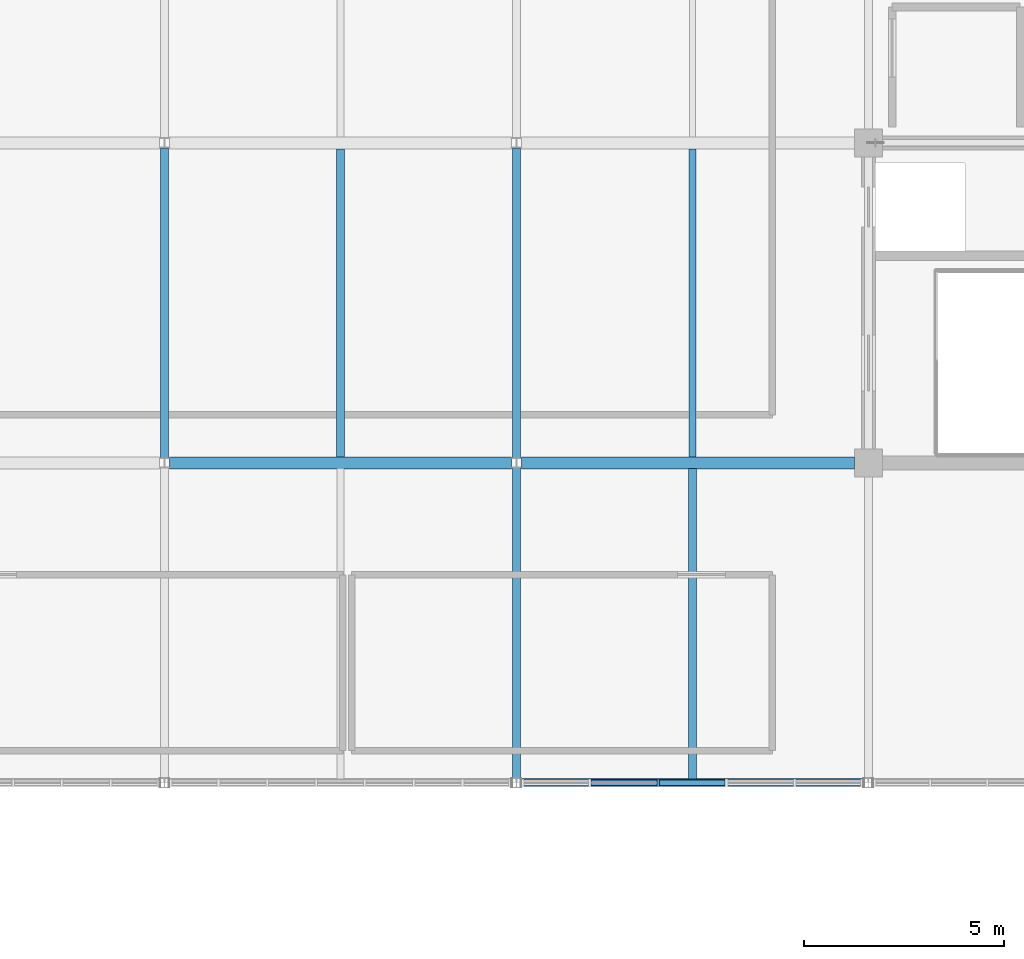
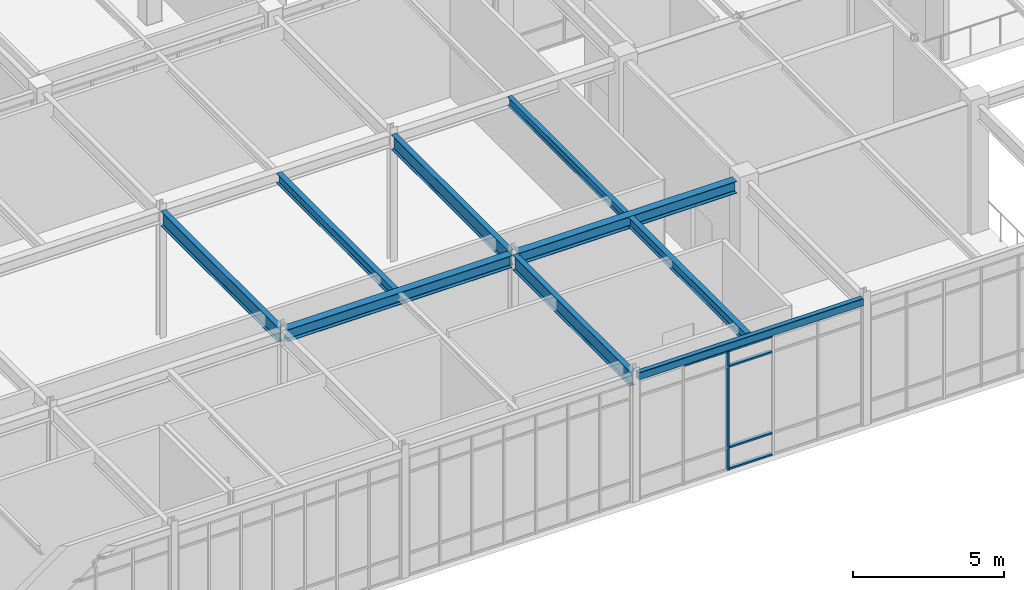
# One storey, part 27 of 184: 9 beams, 6 members, 1 element without a shape of its own.
"""IFC4 building model written with IfcOpenShell, lengths in metres."""

from ifc_helpers import new_model, si_unit, direction, frame, origin, origin_2d, place, context, subcontext, project, spatial, rectangle, hollow_rectangle, i_section, extrude, material, material_profile, profile_set, type_object, element, aggregate, save


model = new_model("IFC4")

# Units and contexts
model_context = context("Model", 3, precision=1e-05, world=origin(), true_north=direction((0.0, 1.0)))
body_context = subcontext(model_context, "Body", "Model", "MODEL_VIEW")
ifc_project = project(units=[si_unit("LENGTHUNIT", "METRE"), si_unit("AREAUNIT", "SQUARE_METRE"), si_unit("VOLUMEUNIT", "CUBIC_METRE"), si_unit("PLANEANGLEUNIT", "RADIAN"), si_unit("MASSUNIT", "GRAM", prefix="KILO")], contexts=[model_context])

# Site, building, storey
site_placement = place(None, origin())
site = spatial("IfcSite", under=ifc_project, at=site_placement, CompositionType="ELEMENT")
building_placement = place(site_placement, origin())
building = spatial("IfcBuilding", under=site, at=building_placement, Name="Zhaolan Boulevard Law Courts", CompositionType="ELEMENT")
storey_placement = place(building_placement, frame((0.0, 0.0, 5.39990234375)))
storey = spatial("IfcBuildingStorey", under=building, at=storey_placement, Name="L01", CompositionType="ELEMENT", Elevation=5.39990234375)

# Curtain wall, members
ifc_material_1 = material(Name="Thermally broken aluminium and low-E glazing", Category="aluminium")
curtain_wall_type = type_object("IfcCurtainWallType", Name="CURTAIN WALL M7", PredefinedType="USERDEFINED", material=ifc_material_1)
curtain_wall_placement = place(storey_placement, origin())
curtain_wall = element("IfcCurtainWall", 1, at=curtain_wall_placement, inside=storey, type_object=curtain_wall_type, Name="Curtain Wall CW-L01-031", ObjectType="CURTAIN WALL", PredefinedType="USERDEFINED")
ifc_material_2 = material(Name="Fluorocarbon-coated aluminium 6063-T6", Category="aluminium")
ifc_material_profile_1 = material_profile(ifc_material_2, rectangle(XDim=0.179931640625, YDim=0.06494140625, at=origin_2d()), Name="AL65x180")
ifc_profile_set_1 = profile_set([ifc_material_profile_1], Name="Fluorocarbon-coated aluminium 6063-T6")
member_type_1 = type_object("IfcMemberType", Name="CWMULLION 65X180", PredefinedType="MULLION", material=ifc_profile_set_1)
member_1_placement = place(storey_placement, frame((29.9453125, 6.0, 0.0), z_axis=(0.0, 0.0, 1.0), x_axis=(0.0, 1.0, 0.0)))
member_1 = element("IfcMember", 2, at=member_1_placement, type_object=member_type_1, Name="CW-L01-031 mullion 3", PredefinedType="MULLION", context=body_context, shape_type="SweptSolid", body=[
    extrude(rectangle(XDim=0.179931640625, YDim=0.06494140625, at=origin_2d()), origin(), (0.0, 0.0, 1.0), 4.822998046875),
])
ifc_material_3 = material(Name="Fluorocarbon-coated aluminium 6063-T6", Category="aluminium")
ifc_material_profile_2 = material_profile(ifc_material_3, rectangle(XDim=0.139892578125, YDim=0.06494140625, at=origin_2d()), Name="AL65x140")
ifc_profile_set_2 = profile_set([ifc_material_profile_2], Name="Fluorocarbon-coated aluminium 6063-T6")
member_type_2 = type_object("IfcMemberType", Name="CWTRANSOM 65X140", PredefinedType="USERDEFINED", material=ifc_profile_set_2)
member_2_placement = place(storey_placement, frame((28.268798828125, 6.0, 4.79052734375), z_axis=(1.0, 0.0, 0.0), x_axis=(0.0, 1.0, 0.0)))
member_2 = element("IfcMember", 3, at=member_2_placement, type_object=member_type_2, Name="CW-L01-031 transom 2.4", ObjectType="TRANSOM", PredefinedType="USERDEFINED", context=body_context, shape_type="SweptSolid", body=[
    extrude(rectangle(XDim=0.139892578125, YDim=0.06494140625, at=origin_2d()), origin(), (0.0, 0.0, 1.0), 1.64404296875),
])
member_3_placement = place(storey_placement, frame((29.977783203125, 6.0, 0.03271484375), z_axis=(1.0, 0.0, 0.0), x_axis=(0.0, 1.0, 0.0)))
member_3 = element("IfcMember", 4, at=member_3_placement, type_object=member_type_2, Name="CW-L01-031 transom 3.1", ObjectType="TRANSOM", PredefinedType="USERDEFINED", context=body_context, shape_type="SweptSolid", body=[
    extrude(rectangle(XDim=0.139892578125, YDim=0.06494140625, at=origin_2d()), origin(), (0.0, 0.0, 1.0), 1.644287109375),
])
member_4_placement = place(storey_placement, frame((29.977783203125, 6.0, 0.900146484375), z_axis=(1.0, 0.0, 0.0), x_axis=(0.0, 1.0, 0.0)))
member_4 = element("IfcMember", 5, at=member_4_placement, type_object=member_type_2, Name="CW-L01-031 transom 3.2", ObjectType="TRANSOM", PredefinedType="USERDEFINED", context=body_context, shape_type="SweptSolid", body=[
    extrude(rectangle(XDim=0.139892578125, YDim=0.06494140625, at=origin_2d()), origin(), (0.0, 0.0, 1.0), 1.644287109375),
])
member_5_placement = place(storey_placement, frame((29.977783203125, 6.0, 4.173095703125), z_axis=(1.0, 0.0, 0.0), x_axis=(0.0, 1.0, 0.0)))
member_5 = element("IfcMember", 6, at=member_5_placement, type_object=member_type_2, Name="CW-L01-031 transom 3.3", ObjectType="TRANSOM", PredefinedType="USERDEFINED", context=body_context, shape_type="SweptSolid", body=[
    extrude(rectangle(XDim=0.139892578125, YDim=0.06494140625, at=origin_2d()), origin(), (0.0, 0.0, 1.0), 1.644287109375),
])
member_6_placement = place(storey_placement, frame((29.977783203125, 6.0, 4.79052734375), z_axis=(1.0, 0.0, 0.0), x_axis=(0.0, 1.0, 0.0)))
member_6 = element("IfcMember", 7, at=member_6_placement, type_object=member_type_2, Name="CW-L01-031 transom 3.4", ObjectType="TRANSOM", PredefinedType="USERDEFINED", context=body_context, shape_type="SweptSolid", body=[
    extrude(rectangle(XDim=0.139892578125, YDim=0.06494140625, at=origin_2d()), origin(), (0.0, 0.0, 1.0), 1.644287109375),
])
aggregate(curtain_wall, [member_1, member_2, member_3, member_4, member_5, member_6])

# Beams
ifc_material_4 = material(Name="Structural steel Q355B", Category="steel")
ifc_material_profile_3 = material_profile(ifc_material_4, i_section(OverallWidth=0.300048828125, OverallDepth=0.488037109375, WebThickness=0.010986328125, FlangeThickness=0.01806640625, FilletRadius=0.02197265625, at=origin_2d()), Name="HM488x300")
ifc_profile_set_3 = profile_set([ifc_material_profile_3], Name="Structural steel Q355B")
beam_type_1 = type_object("IfcBeamType", Name="GIRDER HM500", PredefinedType="BEAM", material=ifc_profile_set_3)
beam_1_placement = place(storey_placement, frame((17.720947265625, 14.0, 4.89404296875), z_axis=(1.0, 0.0, 0.0), x_axis=(0.0, 1.0, 0.0)))
element("IfcBeam", 8, at=beam_1_placement, inside=storey, type_object=beam_type_1, Name="Beam BX-L02-3-4-C", PredefinedType="BEAM", context=body_context, shape_type="SweptSolid", body=[
    extrude(i_section(OverallWidth=0.300048828125, OverallDepth=0.488037109375, WebThickness=0.010986328125, FlangeThickness=0.01806640625, FilletRadius=0.02197265625, at=origin_2d()), origin(), (0.0, 0.0, 1.0), 8.55810546875),
])
beam_2_placement = place(storey_placement, frame((26.52099609375, 14.0, 4.89404296875), z_axis=(1.0, 0.0, 0.0), x_axis=(0.0, 1.0, 0.0)))
element("IfcBeam", 9, at=beam_2_placement, inside=storey, type_object=beam_type_1, Name="Beam BX-L02-4-5-C", PredefinedType="BEAM", context=body_context, shape_type="SweptSolid", body=[
    extrude(i_section(OverallWidth=0.300048828125, OverallDepth=0.488037109375, WebThickness=0.010986328125, FlangeThickness=0.01806640625, FilletRadius=0.02197265625, at=origin_2d()), origin(), (0.0, 0.0, 1.0), 8.3330078125),
])
ifc_material_5 = material(Name="Structural steel Q355B", Category="steel")
ifc_material_profile_4 = material_profile(ifc_material_5, i_section(OverallWidth=0.199951171875, OverallDepth=0.60009765625, WebThickness=0.010986328125, FlangeThickness=0.01708984375, FilletRadius=0.02001953125, at=origin_2d()), Name="HN600x200")
ifc_profile_set_4 = profile_set([ifc_material_profile_4], Name="Structural steel Q355B")
beam_type_2 = type_object("IfcBeamType", Name="GIRDER HN600", PredefinedType="BEAM", material=ifc_profile_set_4)
for number, where, z_axis, x_axis, name in (
    (10, (17.60009765625, 14.12109375, 4.838134765625), (0.0, 1.0, 0.0), (-1.0, 0.0, 0.0), "Beam BY-L02-3-C-D"),
    (11, (26.39990234375, 6.12109375, 4.838134765625), (0.0, 1.0, 0.0), (-1.0, 0.0, 0.0), "Beam BY-L02-4-B-C"),
    (12, (26.39990234375, 14.12109375, 4.838134765625), (0.0, 1.0, 0.0), (-1.0, 0.0, 0.0), "Beam BY-L02-4-C-D"),
):
    element("IfcBeam", number, at=place(storey_placement, frame(where, z_axis=z_axis, x_axis=x_axis)), inside=storey, type_object=beam_type_2, Name=name, PredefinedType="BEAM", context=body_context, shape_type="SweptSolid", body=[
        extrude(i_section(OverallWidth=0.199951171875, OverallDepth=0.60009765625, WebThickness=0.010986328125, FlangeThickness=0.01708984375, FilletRadius=0.02001953125, at=origin_2d()), origin(), (0.0, 0.0, 1.0), 7.7578125),
    ])
ifc_material_6 = material(Name="Structural steel Q355B", Category="steel")
ifc_material_profile_5 = material_profile(ifc_material_6, i_section(OverallWidth=0.175048828125, OverallDepth=0.35009765625, WebThickness=0.007080078125, FlangeThickness=0.010986328125, FilletRadius=0.012939453125, at=origin_2d()), Name="HN350x175")
ifc_profile_set_5 = profile_set([ifc_material_profile_5], Name="Structural steel Q355B")
beam_type_3 = type_object("IfcBeamType", Name="JOIST HN350", PredefinedType="JOIST", material=ifc_profile_set_5)
beam_3_placement = place(storey_placement, frame((30.800048828125, 14.14599609375, 4.963134765625), z_axis=(0.0, 1.0, 0.0), x_axis=(-1.0, 0.0, 0.0)))
element("IfcBeam", 13, at=beam_3_placement, inside=storey, type_object=beam_type_3, Name="Composite Joist J-L02-4C", PredefinedType="JOIST", context=body_context, shape_type="SweptSolid", body=[
    extrude(i_section(OverallWidth=0.175048828125, OverallDepth=0.35009765625, WebThickness=0.007080078125, FlangeThickness=0.010986328125, FilletRadius=0.012939453125, at=origin_2d()), origin(), (0.0, 0.0, 1.0), 7.7080078125),
])
ifc_material_7 = material(Name="Structural steel Q355B", Category="steel")
ifc_material_profile_6 = material_profile(ifc_material_7, i_section(OverallWidth=0.199951171875, OverallDepth=0.39990234375, WebThickness=0.008056640625, FlangeThickness=0.012939453125, FilletRadius=0.013916015625, at=origin_2d()), Name="HN400x200")
ifc_profile_set_6 = profile_set([ifc_material_profile_6], Name="Structural steel Q355B")
beam_type_4 = type_object("IfcBeamType", Name="JOIST HN400", PredefinedType="JOIST", material=ifc_profile_set_6)
beam_4_placement = place(storey_placement, frame((22.0, 14.14599609375, 4.93798828125), z_axis=(0.0, 1.0, 0.0), x_axis=(-1.0, 0.0, 0.0)))
element("IfcBeam", 14, at=beam_4_placement, inside=storey, type_object=beam_type_4, Name="Composite Joist J-L02-3C", PredefinedType="JOIST", context=body_context, shape_type="SweptSolid", body=[
    extrude(i_section(OverallWidth=0.199951171875, OverallDepth=0.39990234375, WebThickness=0.008056640625, FlangeThickness=0.012939453125, FilletRadius=0.013916015625, at=origin_2d()), origin(), (0.0, 0.0, 1.0), 7.7080078125),
])
beam_5_placement = place(storey_placement, frame((30.800048828125, 6.095947265625, 4.93798828125), z_axis=(0.0, 1.0, 0.0), x_axis=(-1.0, 0.0, 0.0)))
element("IfcBeam", 15, at=beam_5_placement, inside=storey, type_object=beam_type_4, Name="Composite Joist J-L02-4B", PredefinedType="JOIST", context=body_context, shape_type="SweptSolid", body=[
    extrude(i_section(OverallWidth=0.199951171875, OverallDepth=0.39990234375, WebThickness=0.008056640625, FlangeThickness=0.012939453125, FilletRadius=0.013916015625, at=origin_2d()), origin(), (0.0, 0.0, 1.0), 7.758056640625),
])
ifc_material_8 = material(Name="Structural steel Q355B", Category="steel")
ifc_material_profile_7 = material_profile(ifc_material_8, hollow_rectangle(XDim=0.199951171875, YDim=0.300048828125, WallThickness=0.011962890625, InnerFilletRadius=0.011962890625, OuterFilletRadius=0.02392578125, at=origin_2d()), Name="HSS300x200x12")
ifc_profile_set_7 = profile_set([ifc_material_profile_7], Name="Structural steel Q355B")
beam_type_5 = type_object("IfcBeamType", Name="SPANDREL HSS300", PredefinedType="SPANDREL", material=ifc_profile_set_7)
beam_6_placement = place(storey_placement, frame((26.52099609375, 6.0, 4.988037109375), z_axis=(1.0, 0.0, 0.0), x_axis=(0.0, 1.0, 0.0)))
element("IfcBeam", 16, at=beam_6_placement, inside=storey, type_object=beam_type_5, Name="Beam BX-L02-4-5-B", PredefinedType="SPANDREL", context=body_context, shape_type="SweptSolid", body=[
    extrude(hollow_rectangle(XDim=0.199951171875, YDim=0.300048828125, WallThickness=0.011962890625, InnerFilletRadius=0.011962890625, OuterFilletRadius=0.02392578125, at=origin_2d()), origin(), (0.0, 0.0, 1.0), 8.55810546875),
])

save(model, "model.ifc")
